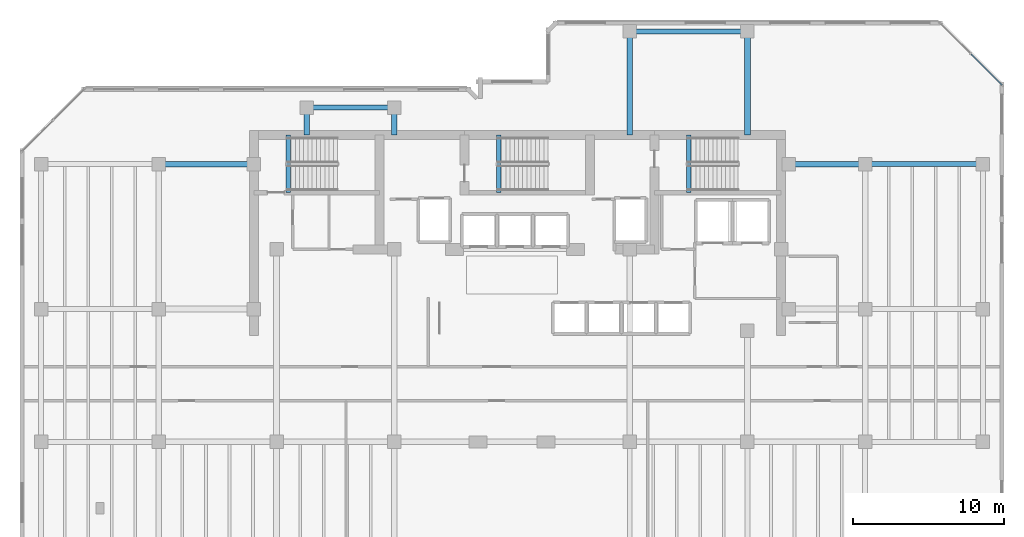
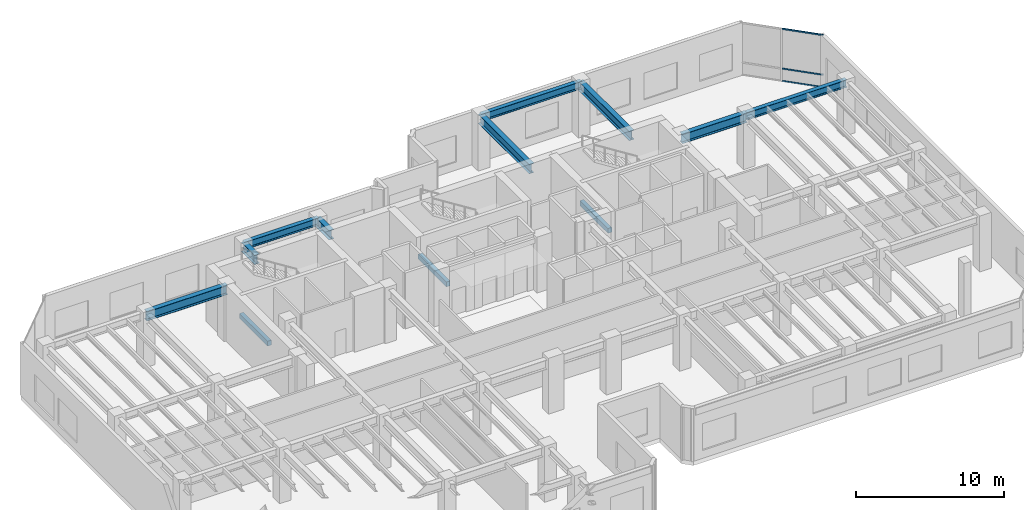
# One storey, part 9 of 20: 12 beams, 3 members, 1 element without a shape of its own.
"""IFC4 building model written with IfcOpenShell, lengths in metres."""

from ifc_helpers import new_model, si_unit, direction, frame, origin, origin_2d, place, context, subcontext, project, spatial, rectangle, hollow_rectangle, i_section, extrude, material, layer, layer_set, material_profile, profile_set, type_object, element, aggregate, save


model = new_model("IFC4")

# Units and contexts
model_context = context("Model", 3, precision=1e-05, world=origin(), true_north=direction((0.0, 1.0)))
body_context = subcontext(model_context, "Body", "Model", "MODEL_VIEW")
ifc_project = project(units=[si_unit("LENGTHUNIT", "METRE"), si_unit("AREAUNIT", "SQUARE_METRE"), si_unit("VOLUMEUNIT", "CUBIC_METRE"), si_unit("PLANEANGLEUNIT", "RADIAN"), si_unit("MASSUNIT", "GRAM", prefix="KILO")], contexts=[model_context])

# Site, building, storey
site_placement = place(None, origin())
site = spatial("IfcSite", under=ifc_project, at=site_placement, CompositionType="ELEMENT")
building_placement = place(site_placement, origin())
building = spatial("IfcBuilding", under=site, at=building_placement, Name="Kestravale Grand Hotel", CompositionType="ELEMENT")
storey_placement = place(building_placement, frame((0.0, 0.0, 231.89990234375)))
storey = spatial("IfcBuildingStorey", under=building, at=storey_placement, Name="L58", CompositionType="ELEMENT", Elevation=231.89990234375)

# Beams
ifc_material_1 = material(Name="Concrete f'c 45 MPa", Category="concrete")
ifc_material_profile_1 = material_profile(ifc_material_1, rectangle(XDim=0.300048828125, YDim=0.39990234375, at=origin_2d()))
ifc_profile_set_1 = profile_set([ifc_material_profile_1], Name="Concrete f'c 45 MPa")
beam_type_1 = type_object("IfcBeamType", Name="B-FLR-LNT400", PredefinedType="LINTEL", material=ifc_profile_set_1)
for number, where, z_axis, x_axis, name in (
    (1, (24.159912109375, 36.52001953125, -0.199951171875), (0.0, 1.0, 0.0), (-1.0, 0.0, 0.0), "L58 ST1 flight bottom header beam"),
    (2, (38.110107421875, 36.52001953125, -0.199951171875), (0.0, 1.0, 0.0), (-1.0, 0.0, 0.0), "L58 ST2 flight bottom header beam"),
    (3, (50.7099609375, 36.52001953125, -0.199951171875), (0.0, 1.0, 0.0), (-1.0, 0.0, 0.0), "L58 ST3 flight bottom header beam"),
):
    element("IfcBeam", number, at=place(storey_placement, frame(where, z_axis=z_axis, x_axis=x_axis)), inside=storey, type_object=beam_type_1, Name=name, PredefinedType="LINTEL", context=body_context, shape_type="SweptSolid", body=[
        extrude(rectangle(XDim=0.300048828125, YDim=0.39990234375, at=origin_2d()), origin(), (0.0, 0.0, 1.0), 3.800048828125),
    ])
ifc_material_2 = material(Name="Steel ASTM A992 Grade 50", Category="steel")
ifc_material_profile_2 = material_profile(ifc_material_2, i_section(OverallWidth=0.324951171875, OverallDepth=0.612060546875, WebThickness=0.0126953125, FlangeThickness=0.01904296875, FilletRadius=0.018798828125, at=origin_2d()))
ifc_profile_set_2 = profile_set([ifc_material_profile_2], Name="Steel ASTM A992 Grade 50")
beam_type_2 = type_object("IfcBeamType", Name="B-FLR-W24A", PredefinedType="SPANDREL", material=ifc_profile_set_2)
for number, where, z_axis, x_axis, name in (
    (4, (62.39990234375, 38.39990234375, 4.044189453125), (1.0, 0.0, 0.0), (0.0, 1.0, 0.0), "L58 spandrel F:10-11"),
    (5, (46.800048828125, 47.199951171875, 4.044189453125), (1.0, 0.0, 0.0), (0.0, 1.0, 0.0), "L58 spandrel G:8-9"),
):
    element("IfcBeam", number, at=place(storey_placement, frame(where, z_axis=z_axis, x_axis=x_axis)), inside=storey, type_object=beam_type_2, Name=name, PredefinedType="SPANDREL", context=body_context, shape_type="SweptSolid", body=[
        extrude(i_section(OverallWidth=0.324951171875, OverallDepth=0.612060546875, WebThickness=0.0126953125, FlangeThickness=0.01904296875, FilletRadius=0.018798828125, at=origin_2d()), origin(), (0.0, 0.0, 1.0), 7.800048828125),
    ])
beam_1_placement = place(storey_placement, frame((25.39990234375, 42.14990234375, 4.044189453125), z_axis=(1.0, 0.0, 0.0), x_axis=(0.0, 1.0, 0.0)))
element("IfcBeam", 6, at=beam_1_placement, inside=storey, type_object=beam_type_2, Name="L58 perimeter tie spandrel FN:4-5", PredefinedType="SPANDREL", context=body_context, shape_type="SweptSolid", body=[
    extrude(i_section(OverallWidth=0.324951171875, OverallDepth=0.612060546875, WebThickness=0.0126953125, FlangeThickness=0.01904296875, FilletRadius=0.018798828125, at=origin_2d()), origin(), (0.0, 0.0, 1.0), 5.800048828125),
])
ifc_material_3 = material(Name="Steel ASTM A992 Grade 50", Category="steel")
ifc_material_profile_3 = material_profile(ifc_material_3, i_section(OverallWidth=0.381103515625, OverallDepth=0.77197265625, WebThickness=0.0166015625, FlangeThickness=0.027099609375, FilletRadius=0.023681640625, at=origin_2d()))
ifc_profile_set_3 = profile_set([ifc_material_profile_3], Name="Steel ASTM A992 Grade 50")
beam_type_3 = type_object("IfcBeamType", Name="B-GRD-W30", PredefinedType="BEAM", material=ifc_profile_set_3)
beam_2_placement = place(storey_placement, frame((15.60009765625, 38.39990234375, 3.964111328125), z_axis=(1.0, 0.0, 0.0), x_axis=(0.0, 1.0, 0.0)))
element("IfcBeam", 7, at=beam_2_placement, inside=storey, type_object=beam_type_3, Name="L58 girder F:3-CW", PredefinedType="BEAM", context=body_context, shape_type="SweptSolid", body=[
    extrude(i_section(OverallWidth=0.381103515625, OverallDepth=0.77197265625, WebThickness=0.0166015625, FlangeThickness=0.027099609375, FilletRadius=0.023681640625, at=origin_2d()), origin(), (0.0, 0.0, 1.0), 6.2998046875),
])
beam_3_placement = place(storey_placement, frame((57.35009765625, 38.39990234375, 3.964111328125), z_axis=(1.0, 0.0, 0.0), x_axis=(0.0, 1.0, 0.0)))
element("IfcBeam", 8, at=beam_3_placement, inside=storey, type_object=beam_type_3, Name="L58 girder F:CE-10", PredefinedType="BEAM", context=body_context, shape_type="SweptSolid", body=[
    extrude(i_section(OverallWidth=0.381103515625, OverallDepth=0.77197265625, WebThickness=0.0166015625, FlangeThickness=0.027099609375, FilletRadius=0.023681640625, at=origin_2d()), origin(), (0.0, 0.0, 1.0), 5.0498046875),
])
for number, where, z_axis, x_axis, name in (
    (9, (25.39990234375, 40.320068359375, 3.964111328125), (0.0, 1.0, 0.0), (-1.0, 0.0, 0.0), "L58 north wing tie girder 4:CN-FN"),
    (10, (31.199951171875, 40.320068359375, 3.964111328125), (0.0, 1.0, 0.0), (-1.0, 0.0, 0.0), "L58 north wing tie girder 5:CN-FN"),
):
    element("IfcBeam", number, at=place(storey_placement, frame(where, z_axis=z_axis, x_axis=x_axis)), inside=storey, type_object=beam_type_3, Name=name, PredefinedType="BEAM", context=body_context, shape_type="SweptSolid", body=[
        extrude(i_section(OverallWidth=0.381103515625, OverallDepth=0.77197265625, WebThickness=0.0166015625, FlangeThickness=0.027099609375, FilletRadius=0.023681640625, at=origin_2d()), origin(), (0.0, 0.0, 1.0), 1.829833984375),
    ])
for number, where, z_axis, x_axis, name in (
    (11, (46.800048828125, 40.320068359375, 3.964111328125), (0.0, 1.0, 0.0), (-1.0, 0.0, 0.0), "L58 north wing tie girder 8:CN-G"),
    (12, (54.60009765625, 40.320068359375, 3.964111328125), (0.0, 1.0, 0.0), (-1.0, 0.0, 0.0), "L58 north wing tie girder 9:CN-G"),
):
    element("IfcBeam", number, at=place(storey_placement, frame(where, z_axis=z_axis, x_axis=x_axis)), inside=storey, type_object=beam_type_3, Name=name, PredefinedType="BEAM", context=body_context, shape_type="SweptSolid", body=[
        extrude(i_section(OverallWidth=0.381103515625, OverallDepth=0.77197265625, WebThickness=0.0166015625, FlangeThickness=0.027099609375, FilletRadius=0.023681640625, at=origin_2d()), origin(), (0.0, 0.0, 1.0), 6.8798828125),
    ])

# Curtain wall, members
ifc_material_4 = material(Name="Thermally broken champagne-bronze aluminium and low-E glazing", Category="aluminium")
ifc_layer = layer(ifc_material_4, 0.179931640625)
ifc_layer_set = layer_set([ifc_layer], Name="CW-Z3")
curtain_wall_type = type_object("IfcCurtainWallType", Name="CW-Z3", PredefinedType="NOTDEFINED", material=ifc_layer_set)
curtain_wall_placement = place(storey_placement, origin())
curtain_wall = element("IfcCurtainWall", 13, at=curtain_wall_placement, inside=storey, type_object=curtain_wall_type, Name="L58 unitised curtain wall 10", PredefinedType="NOTDEFINED")
ifc_material_5 = material(Name="Aluminium 6063-T6 anodised", Category="aluminium")
ifc_material_profile_4 = material_profile(ifc_material_5, hollow_rectangle(XDim=0.06494140625, YDim=0.114990234375, WallThickness=0.003173828125, at=origin_2d()))
ifc_profile_set_4 = profile_set([ifc_material_profile_4], Name="Aluminium 6063-T6 anodised")
member_type = type_object("IfcMemberType", Name="CW-TRN-115", PredefinedType="USERDEFINED", material=ifc_profile_set_4)
member_1_placement = place(storey_placement, frame((71.46923828125, 43.6328125, 0.03271484375), z_axis=(-0.707106781187, 0.707106781187, 0.0), x_axis=(-0.707106781187, -0.707106781187, 0.0)))
member_1 = element("IfcMember", 14, at=member_1_placement, type_object=member_type, Name="CW-Z3 transom 1.1", ObjectType="TRANSOM", PredefinedType="USERDEFINED", context=body_context, shape_type="SweptSolid", body=[
    extrude(hollow_rectangle(XDim=0.06494140625, YDim=0.114990234375, WallThickness=0.003173828125, at=origin_2d()), origin(), (0.0, 0.0, 1.0), 2.892333984375),
])
member_2_placement = place(storey_placement, frame((71.46923828125, 43.6328125, 1.050048828125), z_axis=(-0.707106781187, 0.707106781187, 0.0), x_axis=(-0.707106781187, -0.707106781187, 0.0)))
member_2 = element("IfcMember", 15, at=member_2_placement, type_object=member_type, Name="CW-Z3 transom 1.2", ObjectType="TRANSOM", PredefinedType="USERDEFINED", context=body_context, shape_type="SweptSolid", body=[
    extrude(hollow_rectangle(XDim=0.06494140625, YDim=0.114990234375, WallThickness=0.003173828125, at=origin_2d()), origin(), (0.0, 0.0, 1.0), 2.892333984375),
])
member_3_placement = place(storey_placement, frame((71.46923828125, 43.6328125, 4.317626953125), z_axis=(-0.707106781187, 0.707106781187, 0.0), x_axis=(-0.707106781187, -0.707106781187, 0.0)))
member_3 = element("IfcMember", 16, at=member_3_placement, type_object=member_type, Name="CW-Z3 transom 1.3", ObjectType="TRANSOM", PredefinedType="USERDEFINED", context=body_context, shape_type="SweptSolid", body=[
    extrude(hollow_rectangle(XDim=0.06494140625, YDim=0.114990234375, WallThickness=0.003173828125, at=origin_2d()), origin(), (0.0, 0.0, 1.0), 2.892333984375),
])
aggregate(curtain_wall, [member_1, member_2, member_3])

save(model, "model.ifc")
